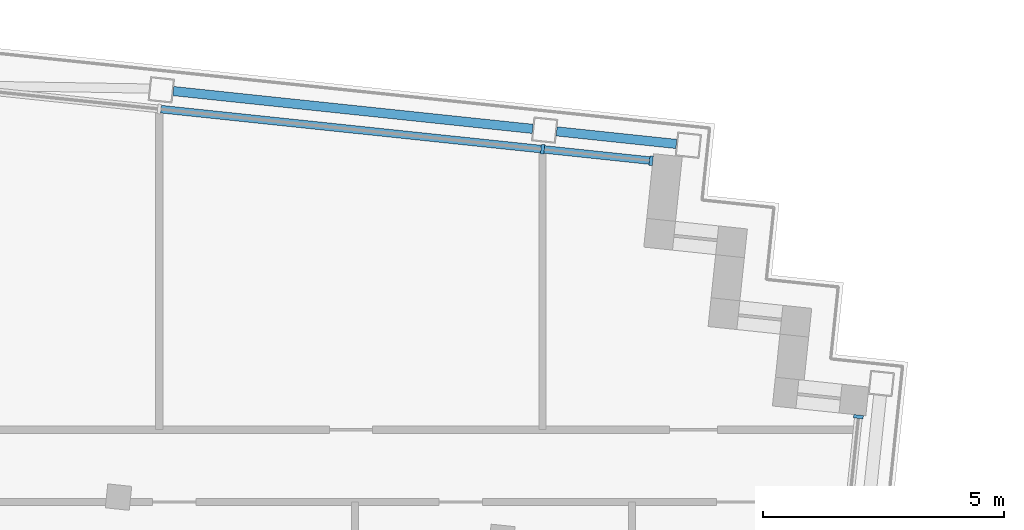
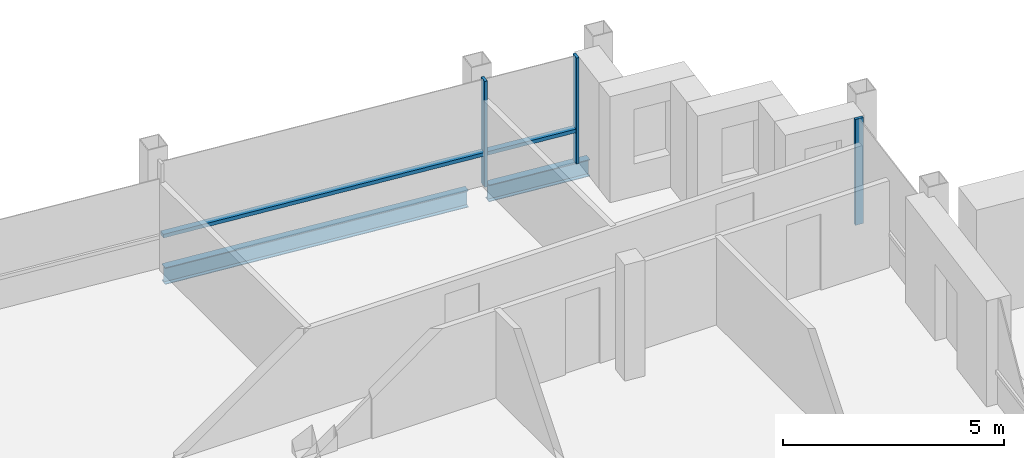
# One storey, part 6 of 16: 5 members, 2 beams, 2 elements without a shape of their own.
"""IFC4 building model written with IfcOpenShell, lengths in metres."""

from ifc_helpers import new_model, si_unit, direction, frame, origin, origin_2d, place, context, subcontext, project, spatial, rectangle, i_section, extrude, material, material_profile, profile_set, type_object, element, aggregate, save


model = new_model("IFC4")

# Units and contexts
model_context = context("Model", 3, precision=1e-05, world=origin(), true_north=direction((0.0, 1.0)))
body_context = subcontext(model_context, "Body", "Model", "MODEL_VIEW")
ifc_project = project(units=[si_unit("LENGTHUNIT", "METRE"), si_unit("AREAUNIT", "SQUARE_METRE"), si_unit("VOLUMEUNIT", "CUBIC_METRE"), si_unit("PLANEANGLEUNIT", "RADIAN"), si_unit("MASSUNIT", "GRAM", prefix="KILO")], contexts=[model_context])

# Site, building, storey
site_placement = place(None, origin())
site = spatial("IfcSite", under=ifc_project, at=site_placement, CompositionType="ELEMENT")
building_placement = place(site_placement, origin())
building = spatial("IfcBuilding", under=site, at=building_placement, Name="Vidyagriha Tower", CompositionType="ELEMENT")
storey_placement = place(building_placement, frame((0.0, 0.0, 259.5)))
storey = spatial("IfcBuildingStorey", under=building, at=storey_placement, Name="L67", CompositionType="ELEMENT", Elevation=259.5)

# Beams
ifc_material_1 = material(Name="Steel ASTM A992 Grade 50", Category="steel")
ifc_material_profile_1 = material_profile(ifc_material_1, i_section(OverallWidth=0.19189453125, OverallDepth=0.46240234375, WebThickness=0.010498046875, FlangeThickness=0.017578125, at=origin_2d()), Name="W18X60")
ifc_profile_set_1 = profile_set([ifc_material_profile_1], Name="Steel ASTM A992 Grade 50")
beam_type = type_object("IfcBeamType", Name="Edge beam W18X60", PredefinedType="SPANDREL", material=ifc_profile_set_1)
beam_1_placement = place(storey_placement, frame((18.130615234375, 19.472412109375, -0.51123046875), z_axis=(0.994519000353, -0.104556003834, 0.0), x_axis=(0.104556003834, 0.994519000353, 0.0)))
element("IfcBeam", 1, at=beam_1_placement, inside=storey, type_object=beam_type, Name="st-beam-L67-NE19", PredefinedType="SPANDREL", context=body_context, shape_type="SweptSolid", body=[
    extrude(i_section(OverallWidth=0.19189453125, OverallDepth=0.46240234375, WebThickness=0.010498046875, FlangeThickness=0.017578125, at=origin_2d()), origin(), (0.0, 0.0, 1.0), 7.5),
])
beam_2_placement = place(storey_placement, frame((26.0869140625, 18.635986328125, -0.51123046875), z_axis=(0.994524701544, -0.104501760842, 0.0), x_axis=(0.104501760842, 0.994524701544, 0.0)))
element("IfcBeam", 2, at=beam_2_placement, inside=storey, type_object=beam_type, Name="st-beam-L67-NE20", PredefinedType="SPANDREL", context=body_context, shape_type="SweptSolid", body=[
    extrude(i_section(OverallWidth=0.19189453125, OverallDepth=0.46240234375, WebThickness=0.010498046875, FlangeThickness=0.017578125, at=origin_2d()), origin(), (0.0, 0.0, 1.0), 2.499755859375),
])

# Curtain wall, members
ifc_material_2 = material(Name="Aluminium and glass curtain wall", Category="aluminium")
curtain_wall_type = type_object("IfcCurtainWallType", Name="Dwelling skin unitised curtain wall", PredefinedType="USERDEFINED", material=ifc_material_2)
curtain_wall_1_placement = place(storey_placement, origin())
curtain_wall_1 = element("IfcCurtainWall", 3, at=curtain_wall_1_placement, inside=storey, type_object=curtain_wall_type, Name="CW1 dwelling skin", ObjectType="UNITISED", PredefinedType="USERDEFINED")
ifc_material_3 = material(Name="Aluminium black anodised", Category="aluminium")
ifc_material_profile_2 = material_profile(ifc_material_3, rectangle(XDim=0.199951171875, YDim=0.070068359375, at=origin_2d()), Name="Mullion 70x200 black aluminium")
ifc_profile_set_2 = profile_set([ifc_material_profile_2], Name="Aluminium black anodised")
member_type_1 = type_object("IfcMemberType", Name="Mullion 70x200 black aluminium", PredefinedType="MULLION", material=ifc_profile_set_2)
member_1_placement = place(storey_placement, frame((28.049072265625, 18.027587890625, 0.0), z_axis=(0.0, 0.0, 1.0), x_axis=(-0.104528852722, -0.994521854435, 0.0)))
member_1 = element("IfcMember", 4, at=member_1_placement, type_object=member_type_1, Name="CW1 mullion 1", PredefinedType="MULLION", context=body_context, shape_type="SweptSolid", body=[
    extrude(rectangle(XDim=0.199951171875, YDim=0.070068359375, at=origin_2d()), origin(), (0.0, 0.0, 1.0), 2.919921875),
])
member_2_placement = place(storey_placement, frame((25.79638671875, 18.264404296875, 0.0), z_axis=(0.0, 0.0, 1.0), x_axis=(-0.104528852722, -0.994521854435, 0.0)))
member_2 = element("IfcMember", 5, at=member_2_placement, type_object=member_type_1, Name="CW1 mullion 2", PredefinedType="MULLION", context=body_context, shape_type="SweptSolid", body=[
    extrude(rectangle(XDim=0.199951171875, YDim=0.070068359375, at=origin_2d()), origin(), (0.0, 0.0, 1.0), 2.919921875),
])

# Curtain wall, member
curtain_wall_2_placement = place(storey_placement, origin())
curtain_wall_2 = element("IfcCurtainWall", 6, at=curtain_wall_2_placement, inside=storey, type_object=curtain_wall_type, Name="CW1 dwelling skin", ObjectType="UNITISED", PredefinedType="USERDEFINED")
member_3_placement = place(storey_placement, frame((32.35205078125, 12.713623046875, 0.0), z_axis=(0.0, 0.0, 1.0), x_axis=(-0.994523205451, 0.10451599791, 0.0)))
member_3 = element("IfcMember", 7, at=member_3_placement, type_object=member_type_1, Name="CW1 mullion 2", PredefinedType="MULLION", context=body_context, shape_type="SweptSolid", body=[
    extrude(rectangle(XDim=0.199951171875, YDim=0.070068359375, at=origin_2d()), origin(), (0.0, 0.0, 1.0), 2.919921875),
])
aggregate(curtain_wall_2, [member_3])

# Member
ifc_material_4 = material(Name="Aluminium black anodised", Category="aluminium")
ifc_material_profile_3 = material_profile(ifc_material_4, rectangle(XDim=0.159912109375, YDim=0.10009765625, at=origin_2d()), Name="Transom 100x160 black aluminium")
ifc_profile_set_3 = profile_set([ifc_material_profile_3], Name="Aluminium black anodised")
member_type_2 = type_object("IfcMemberType", Name="Transom 100x160 black aluminium", PredefinedType="USERDEFINED", material=ifc_profile_set_3)
member_4_placement = place(storey_placement, frame((28.01416015625, 18.03125, 0.89990234375), z_axis=(-0.994518853465, 0.104557400991, 0.0), x_axis=(-0.104557400991, -0.994518853465, 0.0)))
member_4 = element("IfcMember", 8, at=member_4_placement, type_object=member_type_2, Name="CW1 transom 1.1", ObjectType="TRANSOM", PredefinedType="USERDEFINED", context=body_context, shape_type="SweptSolid", body=[
    extrude(rectangle(XDim=0.159912109375, YDim=0.10009765625, at=origin_2d()), origin(), (0.0, 0.0, 1.0), 2.19482421875),
])

member_5_placement = place(storey_placement, frame((25.761474609375, 18.26806640625, 0.89990234375), z_axis=(-0.994522478205, 0.104522917794, 0.0), x_axis=(-0.104522917794, -0.994522478205, 0.0)))
member_5 = element("IfcMember", 9, at=member_5_placement, type_object=member_type_2, Name="CW1 transom 2.1", ObjectType="TRANSOM", PredefinedType="USERDEFINED", context=body_context, shape_type="SweptSolid", body=[
    extrude(rectangle(XDim=0.159912109375, YDim=0.10009765625, at=origin_2d()), origin(), (0.0, 0.0, 1.0), 7.929931640625),
])

aggregate(curtain_wall_1, [member_1, member_2, member_4, member_5])

save(model, "model.ifc")
